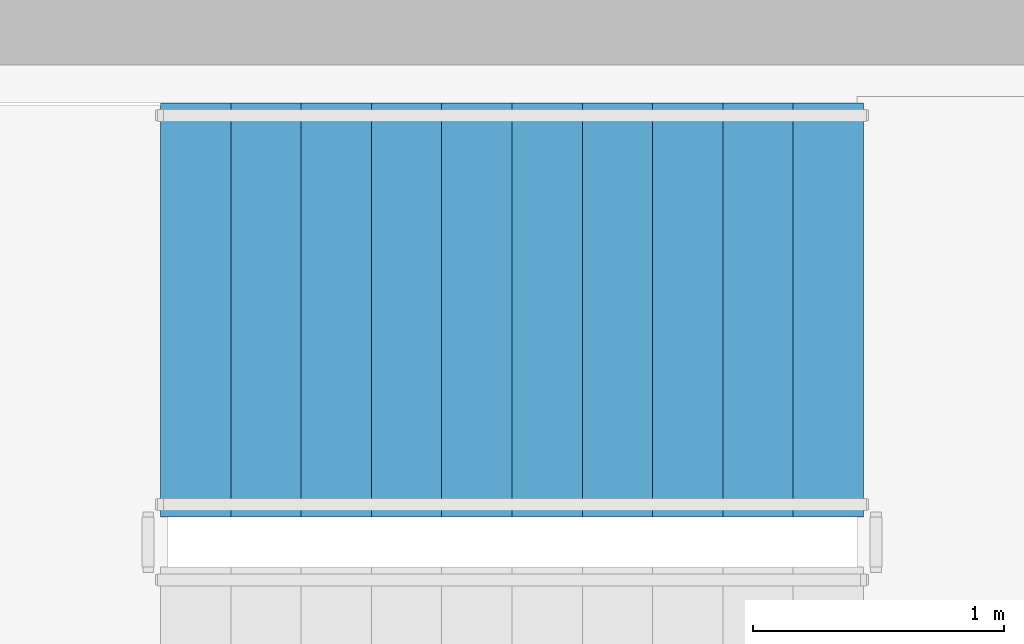
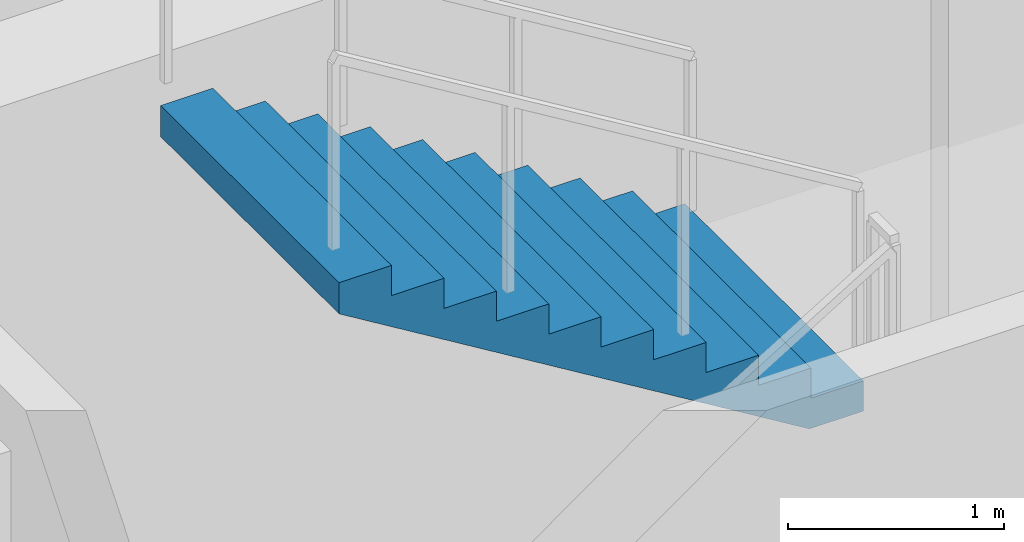
# One storey, part 28 of 32: 1 stair flight, 1 element without a shape of its own.
"""IFC4 building model written with IfcOpenShell, lengths in metres."""

from ifc_helpers import new_model, si_unit, direction, frame, origin, place, context, subcontext, project, spatial, polyline, outline, extrude, material, type_object, element, aggregate, save


model = new_model("IFC4")

# Units and contexts
model_context = context("Model", 3, precision=1e-05, world=origin(), true_north=direction((0.0, 1.0)))
body_context = subcontext(model_context, "Body", "Model", "MODEL_VIEW")
ifc_project = project(units=[si_unit("LENGTHUNIT", "METRE"), si_unit("AREAUNIT", "SQUARE_METRE"), si_unit("VOLUMEUNIT", "CUBIC_METRE"), si_unit("PLANEANGLEUNIT", "RADIAN"), si_unit("MASSUNIT", "GRAM", prefix="KILO")], contexts=[model_context])

# Site, building, storey
site_placement = place(None, origin())
site = spatial("IfcSite", under=ifc_project, at=site_placement, CompositionType="ELEMENT")
building_placement = place(site_placement, origin())
building = spatial("IfcBuilding", under=site, at=building_placement, Name="Haldenkirk Collegiate Tower", CompositionType="ELEMENT")
storey_placement = place(building_placement, frame((0.0, 0.0, 36.449951171875)))
storey = spatial("IfcBuildingStorey", under=building, at=storey_placement, Name="L07", CompositionType="ELEMENT", Elevation=36.449951171875)

# Stair, stair flight
ifc_material = material(Name="Concrete f'c 40 MPa", Category="concrete")
stair_type = type_object("IfcStairType", Name="STR-DOGLEG-1650", PredefinedType="HALF_TURN_STAIR", material=ifc_material)
stair_placement = place(storey_placement, origin())
stair = element("IfcStair", 1, at=stair_placement, inside=storey, type_object=stair_type, Name="L07 Core Exit Stair ST-3", PredefinedType="HALF_TURN_STAIR")
stair_flight_type = type_object("IfcStairFlightType", Name="STF-FLIGHT-1650", PredefinedType="STRAIGHT", material=ifc_material)
stair_flight_placement = place(storey_placement, frame((36.449951171875, 32.72509765625, 1.875), z_axis=(0.0, 0.0, 1.0), x_axis=(-1.0, 0.0, 0.0)))
stair_flight = element("IfcStairFlight", 2, at=stair_flight_placement, type_object=stair_flight_type, Name="ST-3 flight 2", NumberOfRisers=11, NumberOfTreads=10, PredefinedType="STRAIGHT", RiserHeight=0.170454545, TreadLength=0.28, context=body_context, shape_type="SweptSolid", body=[
    extrude(outline(polyline([(0.0, 0.0), (0.0, 0.17041015625), (0.280029296875, 0.17041015625), (0.280029296875, 0.3408203125), (0.56005859375, 0.3408203125), (0.56005859375, 0.511474609375), (0.840087890625, 0.511474609375), (0.840087890625, 0.681884765625), (1.1201171875, 0.681884765625), (1.1201171875, 0.852294921875), (1.39990234375, 0.852294921875), (1.39990234375, 1.022705078125), (1.679931640625, 1.022705078125), (1.679931640625, 1.193115234375), (1.9599609375, 1.193115234375), (1.9599609375, 1.363525390625), (2.239990234375, 1.363525390625), (2.239990234375, 1.5341796875), (2.52001953125, 1.5341796875), (2.52001953125, 1.70458984375), (2.800048828125, 1.70458984375), (2.800048828125, 1.875), (2.800048828125, 1.529052734375), (0.288330078125, 0.0), (0.0, 0.0)])), frame((0.0, 0.824951171875, 0.0), z_axis=(0.0, -1.0, 0.0), x_axis=(1.0, 0.0, 0.0)), (0.0, 0.0, 1.0), 1.64990234375),
])
aggregate(stair, [stair_flight])

save(model, "model.ifc")
